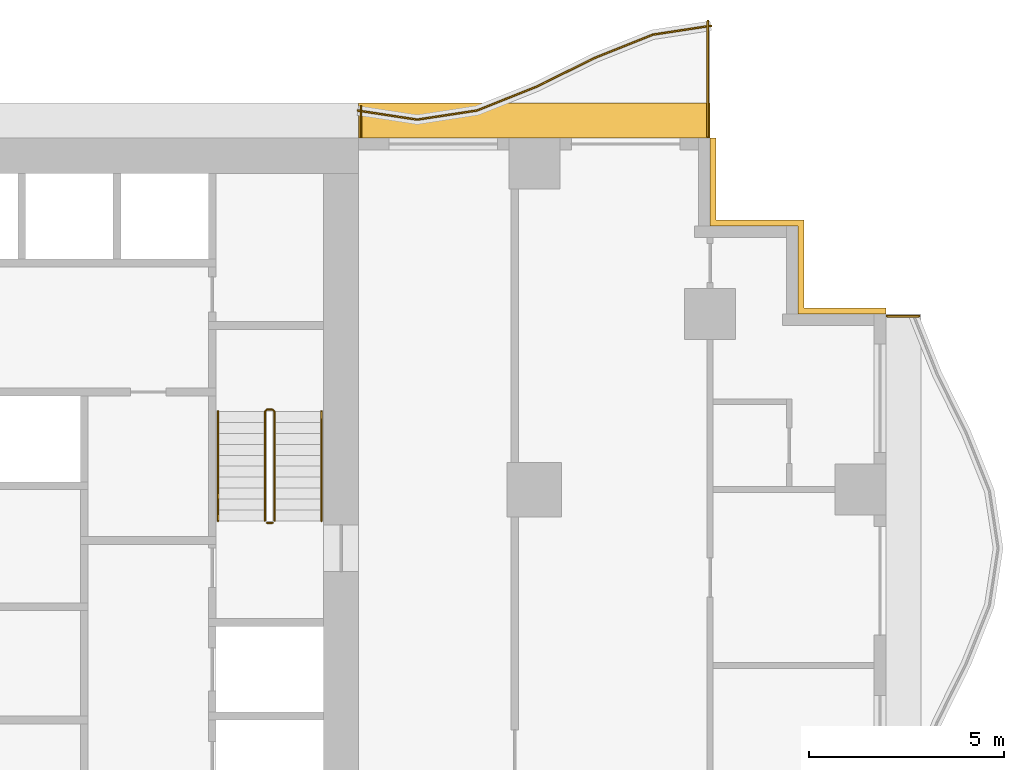
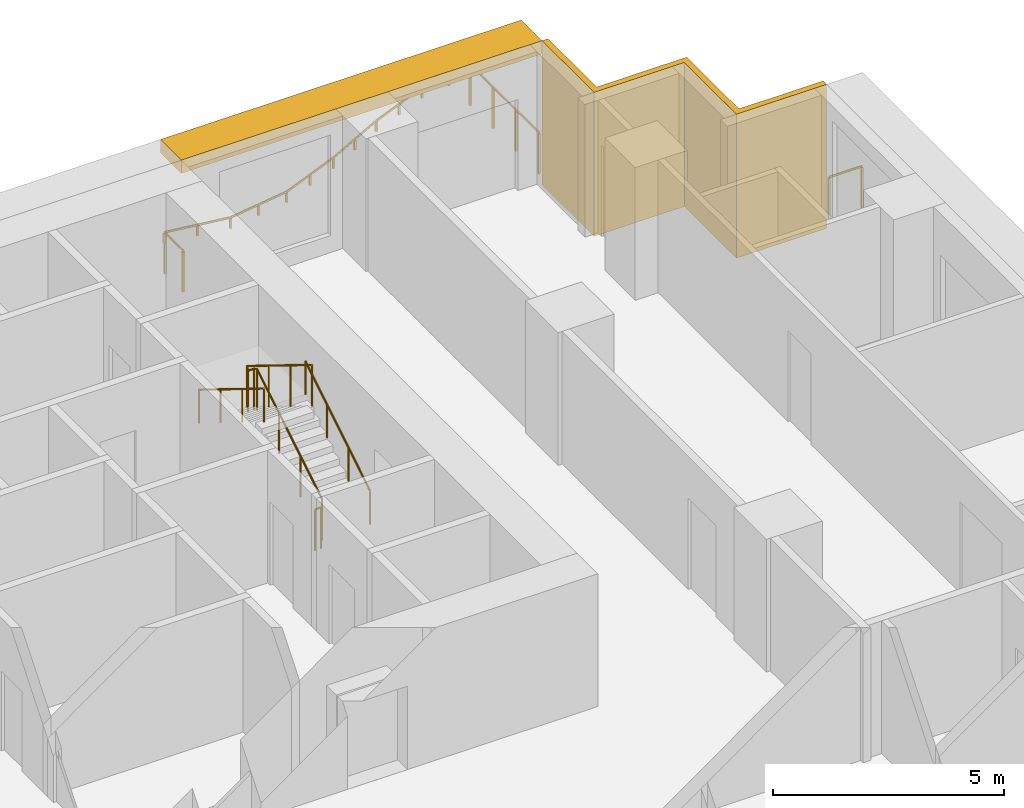
# One storey, part 14 of 14: 8 railings, 2 shading devices.
"""IFC4 building model written with IfcOpenShell, lengths in metres."""

from ifc_helpers import new_model, si_unit, direction, frame, origin, origin_2d, place, context, subcontext, project, spatial, polyline, rectangle, circle, outline, extrude, material, layer, layer_set, type_object, element, save


model = new_model("IFC4")

# Units and contexts
model_context = context("Model", 3, precision=1e-05, world=origin(), true_north=direction((0.0, 1.0)))
body_context = subcontext(model_context, "Body", "Model", "MODEL_VIEW")
ifc_project = project(units=[si_unit("LENGTHUNIT", "METRE"), si_unit("AREAUNIT", "SQUARE_METRE"), si_unit("VOLUMEUNIT", "CUBIC_METRE"), si_unit("PLANEANGLEUNIT", "RADIAN"), si_unit("MASSUNIT", "GRAM", prefix="KILO")], contexts=[model_context])

# Site, building, storey
site_placement = place(None, origin())
site = spatial("IfcSite", under=ifc_project, at=site_placement, CompositionType="ELEMENT")
building_placement = place(site_placement, origin())
building = spatial("IfcBuilding", under=site, at=building_placement, Name="Orbiselva Terraces", CompositionType="ELEMENT")
storey_placement = place(building_placement, frame((0.0, 0.0, 84.6)))
storey = spatial("IfcBuildingStorey", under=building, at=storey_placement, Name="L21", CompositionType="ELEMENT", Elevation=84.6)

# Railings
ifc_material_1 = material(Name="Stainless steel", Category="steel")
railing_type_1 = type_object("IfcRailingType", Name="CORE-GUARD-1100", PredefinedType="GUARDRAIL", material=ifc_material_1)
railing_1_placement = place(storey_placement, frame((11.35, 12.7, 0.172727)))
element("IfcRailing", 1, at=railing_1_placement, inside=storey, type_object=railing_type_1, Name="L21 S2 stair guard 1", PredefinedType="GUARDRAIL", context=body_context, shape_type="SweptSolid", body=[
    extrude(circle(Radius=0.024, at=origin_2d()), frame((0.0, 0.0, 1.081), z_axis=(0.0, 0.851088519012, 0.52502222125), x_axis=(-1.0, 0.0, 0.0)), (0.0, 0.0, 1.0), 3.289905),
    extrude(circle(Radius=0.024, at=origin_2d()), frame((0.0, 2.8, 2.808273), z_axis=(-0.707106781187, 0.707106781187, 0.0), x_axis=(-0.707106781187, -0.707106781187, 0.0)), (0.0, 0.0, 1.0), 0.070711),
    extrude(circle(Radius=0.024, at=origin_2d()), frame((-0.05, 2.85, 2.808273), z_axis=(-1.0, 0.0, 0.0), x_axis=(0.0, -1.0, 0.0)), (0.0, 0.0, 1.0), 0.15),
    extrude(circle(Radius=0.024, at=origin_2d()), frame((-0.2, 2.85, 2.808273), z_axis=(-0.267894925557, -0.267894925557, 0.925453736133), x_axis=(0.707106781187, -0.707106781187, 0.0)), (0.0, 0.0, 1.0), 0.18664),
    extrude(circle(Radius=0.024, at=origin_2d()), frame((-0.25, 2.8, 2.981), z_axis=(0.0, -0.851088519012, 0.52502222125), x_axis=(1.0, 0.0, 0.0)), (0.0, 0.0, 1.0), 3.289905),
    extrude(circle(Radius=0.021, at=origin_2d()), origin(), (0.0, 0.0, 1.0), 1.057),
    extrude(circle(Radius=0.021, at=origin_2d()), frame((0.0, 0.933333, 0.575758)), (0.0, 0.0, 1.0), 1.057),
    extrude(circle(Radius=0.021, at=origin_2d()), frame((0.0, 1.866667, 1.151515)), (0.0, 0.0, 1.0), 1.057),
    extrude(circle(Radius=0.021, at=origin_2d()), frame((0.0, 2.8, 1.727273)), (0.0, 0.0, 1.0), 1.057),
    extrude(circle(Radius=0.021, at=origin_2d()), frame((-0.05, 2.85, 1.727273)), (0.0, 0.0, 1.0), 1.057),
    extrude(circle(Radius=0.021, at=origin_2d()), frame((-0.2, 2.85, 1.727273)), (0.0, 0.0, 1.0), 1.057),
    extrude(circle(Radius=0.021, at=origin_2d()), frame((-0.25, 2.8, 1.9)), (0.0, 0.0, 1.0), 1.057),
    extrude(circle(Radius=0.021, at=origin_2d()), frame((-0.25, 1.866667, 2.475758)), (0.0, 0.0, 1.0), 1.057),
    extrude(circle(Radius=0.021, at=origin_2d()), frame((-0.25, 0.933333, 3.051515)), (0.0, 0.0, 1.0), 1.057),
    extrude(circle(Radius=0.021, at=origin_2d()), frame((-0.25, 0.0, 3.627273)), (0.0, 0.0, 1.0), 1.057),
])
railing_2_placement = place(storey_placement, frame((11.3, 12.65, 0.0)))
element("IfcRailing", 2, at=railing_2_placement, inside=storey, type_object=railing_type_1, Name="L21 S2 stair guard 2", PredefinedType="GUARDRAIL", context=body_context, shape_type="SweptSolid", body=[
    extrude(circle(Radius=0.024, at=origin_2d()), frame((0.0, 0.0, 1.081), z_axis=(-1.0, 0.0, 0.0), x_axis=(0.0, -1.0, 0.0)), (0.0, 0.0, 1.0), 0.15),
    extrude(circle(Radius=0.021, at=origin_2d()), origin(), (0.0, 0.0, 1.0), 1.057),
    extrude(circle(Radius=0.021, at=origin_2d()), frame((-0.15, 0.0, 0.0)), (0.0, 0.0, 1.0), 1.057),
])
railing_type_2 = type_object("IfcRailingType", Name="CORE-HANDRAIL-900", PredefinedType="HANDRAIL", material=ifc_material_1)
railing_3_placement = place(storey_placement, frame((12.55, 12.7, 0.172727)))
element("IfcRailing", 3, at=railing_3_placement, inside=storey, type_object=railing_type_2, Name="L21 S2 stair handrail 1", PredefinedType="HANDRAIL", context=body_context, shape_type="SweptSolid", body=[
    extrude(circle(Radius=0.024, at=origin_2d()), frame((0.0, 0.0, 0.876), z_axis=(0.0, 0.851088519012, 0.52502222125), x_axis=(-1.0, 0.0, 0.0)), (0.0, 0.0, 1.0), 3.289905),
    extrude(circle(Radius=0.021, at=origin_2d()), origin(), (0.0, 0.0, 1.0), 0.852),
    extrude(circle(Radius=0.021, at=origin_2d()), frame((0.0, 0.933333, 0.575758)), (0.0, 0.0, 1.0), 0.852),
    extrude(circle(Radius=0.021, at=origin_2d()), frame((0.0, 1.866667, 1.151515)), (0.0, 0.0, 1.0), 0.852),
    extrude(circle(Radius=0.021, at=origin_2d()), frame((0.0, 2.8, 1.727273)), (0.0, 0.0, 1.0), 0.852),
])
railing_4_placement = place(storey_placement, frame((9.9, 15.5, 2.072727)))
element("IfcRailing", 4, at=railing_4_placement, inside=storey, type_object=railing_type_2, Name="L21 S2 stair handrail 2", PredefinedType="HANDRAIL", context=body_context, shape_type="SweptSolid", body=[
    extrude(circle(Radius=0.024, at=origin_2d()), frame((0.0, 0.0, 0.876), z_axis=(0.0, -0.851088519012, 0.52502222125), x_axis=(1.0, 0.0, 0.0)), (0.0, 0.0, 1.0), 3.289905),
    extrude(circle(Radius=0.021, at=origin_2d()), origin(), (0.0, 0.0, 1.0), 0.852),
    extrude(circle(Radius=0.021, at=origin_2d()), frame((0.0, -0.933333, 0.575758)), (0.0, 0.0, 1.0), 0.852),
    extrude(circle(Radius=0.021, at=origin_2d()), frame((0.0, -1.866667, 1.151515)), (0.0, 0.0, 1.0), 0.852),
    extrude(circle(Radius=0.021, at=origin_2d()), frame((0.0, -2.8, 1.727273)), (0.0, 0.0, 1.0), 0.852),
])
ifc_material_2 = material(Name="Bonded two-ply safety glass balustrade, stainless steel posts", Category="steel")
railing_type_3 = type_object("IfcRailingType", Name="ENV-BALUSTRADE-1200", PredefinedType="BALUSTRADE", material=ifc_material_2)
railing_5_placement = place(storey_placement, frame((22.518879, 25.376434, 0.9)))
element("IfcRailing", 5, at=railing_5_placement, inside=storey, type_object=railing_type_3, Name="Balcony balustrade L21 NE", PredefinedType="BALUSTRADE", context=body_context, shape_type="SweptSolid", body=[
    extrude(outline(polyline([(0.028868, 0.0), (0.014434, 0.025), (-0.014434, 0.025), (-0.028868, 0.0), (-0.014434, -0.025), (0.014434, -0.025), (0.028868, 0.0)])), frame((0.0, 0.0, 0.275), z_axis=(-0.988528552748, -0.151034103443, 0.0), x_axis=(0.151034103443, -0.988528552748, 0.0)), (0.0, 0.0, 1.0), 1.503038),
    extrude(outline(polyline([(0.028868, 0.0), (0.014434, 0.025), (-0.014434, 0.025), (-0.028868, 0.0), (-0.014434, -0.025), (0.014434, -0.025), (0.028868, 0.0)])), frame((-1.485796, -0.22701, 0.275), z_axis=(-0.928476561272, -0.371391000387, 0.0), x_axis=(0.371391000387, -0.928476561272, 0.0)), (0.0, 0.0, 1.0), 1.596261),
    extrude(outline(polyline([(0.028868, 0.0), (0.014434, 0.025), (-0.014434, 0.025), (-0.028868, 0.0), (-0.014434, -0.025), (0.014434, -0.025), (0.028868, 0.0)])), frame((-2.967887, -0.819847, 0.275), z_axis=(-0.896416672454, -0.443212307306, 0.0), x_axis=(0.443212307306, -0.896416672454, 0.0)), (0.0, 0.0, 1.0), 1.673329),
    extrude(outline(polyline([(0.028868, 0.0), (0.014434, 0.025), (-0.014434, 0.025), (-0.028868, 0.0), (-0.014434, -0.025), (0.014434, -0.025), (0.028868, 0.0)])), frame((-4.467887, -1.561487, 0.275), z_axis=(-0.92847681744, -0.371390359967, 0.0), x_axis=(0.371390359967, -0.92847681744, 0.0)), (0.0, 0.0, 1.0), 1.634838),
    extrude(outline(polyline([(0.028868, 0.0), (0.014434, 0.025), (-0.014434, 0.025), (-0.028868, 0.0), (-0.014434, -0.025), (0.014434, -0.025), (0.028868, 0.0)])), frame((-5.985796, -2.16865, 0.275), z_axis=(-0.988528536275, -0.151034211256, 0.0), x_axis=(0.151034211256, -0.988528536275, 0.0)), (0.0, 0.0, 1.0), 1.550874),
    extrude(outline(polyline([(0.028868, 0.0), (0.014434, 0.025), (-0.014434, 0.025), (-0.028868, 0.0), (-0.014434, -0.025), (0.014434, -0.025), (0.028868, 0.0)])), frame((-7.518879, -2.402885, 0.275), z_axis=(-0.988528518286, 0.151034328999, 0.0), x_axis=(-0.151034328999, -0.988528518286, 0.0)), (0.0, 0.0, 1.0), 1.536505),
    extrude(rectangle(XDim=0.05, YDim=0.05, at=origin_2d()), origin(), (0.0, 0.0, 1.0), 0.25),
    extrude(rectangle(XDim=0.05, YDim=0.05, at=origin_2d()), frame((-0.742898, -0.113505, 0.0)), (0.0, 0.0, 1.0), 0.25),
    extrude(rectangle(XDim=0.05, YDim=0.05, at=origin_2d()), frame((-1.485796, -0.22701, 0.0)), (0.0, 0.0, 1.0), 0.25),
    extrude(rectangle(XDim=0.05, YDim=0.05, at=origin_2d()), frame((-2.226841, -0.523428, 0.0)), (0.0, 0.0, 1.0), 0.25),
    extrude(rectangle(XDim=0.05, YDim=0.05, at=origin_2d()), frame((-2.967887, -0.819847, 0.0)), (0.0, 0.0, 1.0), 0.25),
    extrude(rectangle(XDim=0.05, YDim=0.05, at=origin_2d()), frame((-3.717887, -1.190667, 0.0)), (0.0, 0.0, 1.0), 0.25),
    extrude(rectangle(XDim=0.05, YDim=0.05, at=origin_2d()), frame((-4.467887, -1.561487, 0.0)), (0.0, 0.0, 1.0), 0.25),
    extrude(rectangle(XDim=0.05, YDim=0.05, at=origin_2d()), frame((-5.226841, -1.865068, 0.0)), (0.0, 0.0, 1.0), 0.25),
    extrude(rectangle(XDim=0.05, YDim=0.05, at=origin_2d()), frame((-5.985796, -2.16865, 0.0)), (0.0, 0.0, 1.0), 0.25),
    extrude(rectangle(XDim=0.05, YDim=0.05, at=origin_2d()), frame((-6.752337, -2.285768, 0.0)), (0.0, 0.0, 1.0), 0.25),
    extrude(rectangle(XDim=0.05, YDim=0.05, at=origin_2d()), frame((-7.518879, -2.402885, 0.0)), (0.0, 0.0, 1.0), 0.25),
    extrude(rectangle(XDim=0.05, YDim=0.05, at=origin_2d()), frame((-8.278318, -2.286852, 0.0)), (0.0, 0.0, 1.0), 0.25),
    extrude(rectangle(XDim=0.05, YDim=0.05, at=origin_2d()), frame((-9.037758, -2.17082, 0.0)), (0.0, 0.0, 1.0), 0.25),
])
ifc_material_3 = material(Name="Stainless steel rail and posts", Category="steel")
railing_type_4 = type_object("IfcRailingType", Name="ENV-GUARD-1105", PredefinedType="BALUSTRADE", material=ifc_material_3)
railing_6_placement = place(storey_placement, frame((27.847212, 17.94, 0.0)))
element("IfcRailing", 6, at=railing_6_placement, inside=storey, type_object=railing_type_4, Name="Balcony end guard L21 E", PredefinedType="BALUSTRADE", context=body_context, shape_type="SweptSolid", body=[
    extrude(outline(polyline([(0.028868, 0.0), (0.014434, 0.025), (-0.014434, 0.025), (-0.028868, 0.0), (-0.014434, -0.025), (0.014434, -0.025), (0.028868, 0.0)])), frame((0.0, 0.0, 1.08), z_axis=(-1.0, 0.0, 0.0), x_axis=(0.0, -1.0, 0.0)), (0.0, 0.0, 1.0), 0.822212),
    extrude(rectangle(XDim=0.05, YDim=0.05, at=origin_2d()), origin(), (0.0, 0.0, 1.0), 1.055),
    extrude(rectangle(XDim=0.05, YDim=0.05, at=origin_2d()), frame((-0.822212, 0.0, 0.0)), (0.0, 0.0, 1.0), 1.055),
])
railing_7_placement = place(storey_placement, frame((22.44, 25.499621, 0.0)))
element("IfcRailing", 7, at=railing_7_placement, inside=storey, type_object=railing_type_4, Name="Balcony end guard L21 NE", PredefinedType="BALUSTRADE", context=body_context, shape_type="SweptSolid", body=[
    extrude(outline(polyline([(0.028868, 0.0), (0.014434, 0.025), (-0.014434, 0.025), (-0.028868, 0.0), (-0.014434, -0.025), (0.014434, -0.025), (0.028868, 0.0)])), frame((0.0, 0.0, 1.08), z_axis=(0.0, -1.0, 0.0), x_axis=(1.0, 0.0, 0.0)), (0.0, 0.0, 1.0), 2.974621),
    extrude(rectangle(XDim=0.05, YDim=0.05, at=origin_2d()), origin(), (0.0, 0.0, 1.0), 1.055),
    extrude(rectangle(XDim=0.05, YDim=0.05, at=origin_2d()), frame((0.0, -0.99154, 0.0)), (0.0, 0.0, 1.0), 1.055),
    extrude(rectangle(XDim=0.05, YDim=0.05, at=origin_2d()), frame((0.0, -1.983081, 0.0)), (0.0, 0.0, 1.0), 1.055),
    extrude(rectangle(XDim=0.05, YDim=0.05, at=origin_2d()), frame((0.0, -2.974621, 0.0)), (0.0, 0.0, 1.0), 1.055),
])
railing_8_placement = place(storey_placement, frame((13.56, 23.311761, 0.0)))
element("IfcRailing", 8, at=railing_8_placement, inside=storey, type_object=railing_type_4, Name="Balcony end guard L21 NE", PredefinedType="BALUSTRADE", context=body_context, shape_type="SweptSolid", body=[
    extrude(outline(polyline([(0.028868, 0.0), (0.014434, 0.025), (-0.014434, 0.025), (-0.028868, 0.0), (-0.014434, -0.025), (0.014434, -0.025), (0.028868, 0.0)])), frame((0.0, 0.0, 1.08), z_axis=(0.0, -1.0, 0.0), x_axis=(1.0, 0.0, 0.0)), (0.0, 0.0, 1.0), 0.786761),
    extrude(rectangle(XDim=0.05, YDim=0.05, at=origin_2d()), origin(), (0.0, 0.0, 1.0), 1.055),
    extrude(rectangle(XDim=0.05, YDim=0.05, at=origin_2d()), frame((0.0, -0.786761, 0.0)), (0.0, 0.0, 1.0), 1.055),
])

# Shading devices
ifc_material_4 = material(Name="Terracotta louvre screen", Category="masonry")
ifc_layer_1 = layer(ifc_material_4, 0.15)
ifc_layer_set_1 = layer_set([ifc_layer_1], Name="Terracotta louvre screen")
shading_device_type_1 = type_object("IfcShadingDeviceType", Name="ENV-SCREEN-150", PredefinedType="USERDEFINED", material=ifc_layer_set_1)
shading_device_1_placement = place(storey_placement, frame((0.0, 0.0, -0.3)))
element("IfcShadingDevice", 9, at=shading_device_1_placement, inside=storey, type_object=shading_device_type_1, Name="Louvre screen L21 NE", ObjectType="SCREEN", PredefinedType="USERDEFINED", context=body_context, shape_type="SweptSolid", body=[
    extrude(outline(polyline([(27.0, 18.15), (24.9, 18.15), (24.9, 20.4), (22.65, 20.4), (22.65, 22.5), (22.5, 22.5), (22.5, 20.25), (24.75, 20.25), (24.75, 18.0), (27.0, 18.0), (27.0, 18.15)])), origin(), (0.0, 0.0, 1.0), 3.8),
])
ifc_material_5 = material(Name="Terracotta baguette sunshade", Category="masonry")
ifc_layer_2 = layer(ifc_material_5, 0.35)
ifc_layer_set_2 = layer_set([ifc_layer_2], Name="Terracotta baguette sunshade")
shading_device_type_2 = type_object("IfcShadingDeviceType", Name="ENV-SUNSHADE-900x350", PredefinedType="USERDEFINED", material=ifc_layer_set_2)
shading_device_2_placement = place(storey_placement, frame((0.0, 0.0, 3.15)))
element("IfcShadingDevice", 10, at=shading_device_2_placement, inside=storey, type_object=shading_device_type_2, Name="Sunshade band L21 NE", ObjectType="SUNSHADE", PredefinedType="USERDEFINED", context=body_context, shape_type="SweptSolid", body=[
    extrude(outline(polyline([(22.5, 23.4), (13.5, 23.4), (13.5, 22.5), (22.5, 22.5), (22.5, 23.4)])), origin(), (0.0, 0.0, 1.0), 0.35),
])

save(model, "model.ifc")
